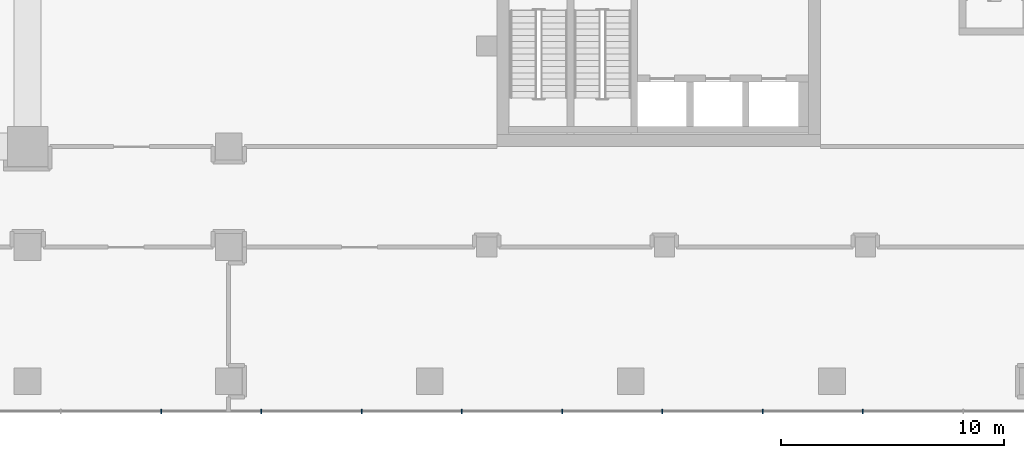
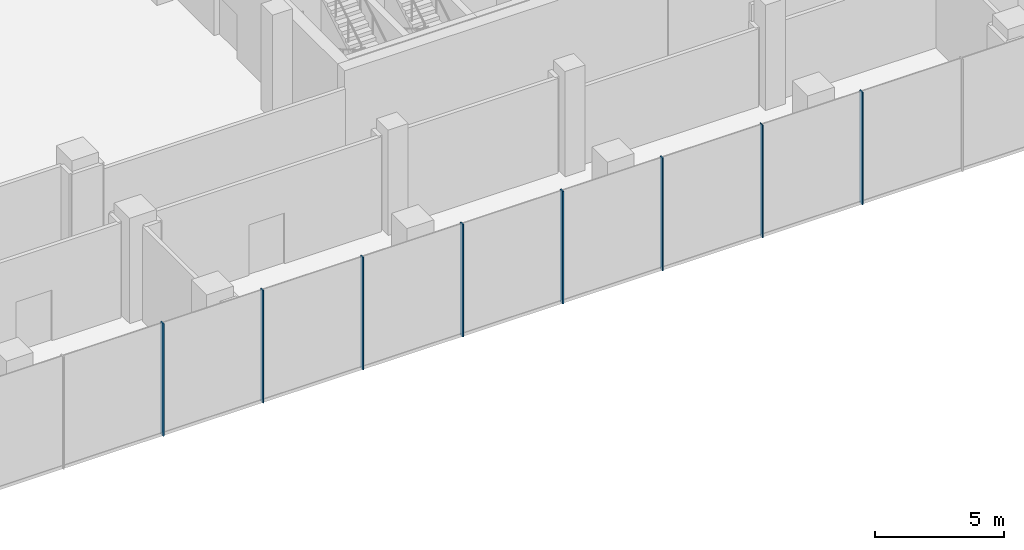
# One storey, part 12 of 36: 8 members, 1 element without a shape of its own.
"""IFC4 building model written with IfcOpenShell, lengths in metres."""

from ifc_helpers import new_model, si_unit, direction, frame, origin, origin_2d, place, context, subcontext, project, spatial, rectangle, extrude, material, layer, layer_set, material_profile, profile_set, type_object, element, aggregate, save


model = new_model("IFC4")

# Units and contexts
model_context = context("Model", 3, precision=1e-05, world=origin(), true_north=direction((0.0, 1.0)))
body_context = subcontext(model_context, "Body", "Model", "MODEL_VIEW")
ifc_project = project(units=[si_unit("LENGTHUNIT", "METRE"), si_unit("AREAUNIT", "SQUARE_METRE"), si_unit("VOLUMEUNIT", "CUBIC_METRE"), si_unit("PLANEANGLEUNIT", "RADIAN"), si_unit("MASSUNIT", "GRAM", prefix="KILO")], contexts=[model_context])

# Site, building, storey
site_placement = place(None, origin())
site = spatial("IfcSite", under=ifc_project, at=site_placement, CompositionType="ELEMENT")
building_placement = place(site_placement, origin())
building = spatial("IfcBuilding", under=site, at=building_placement, Name="Plateau Cross Towers", CompositionType="ELEMENT")
storey_placement = place(building_placement, frame((0.0, 0.0, 21.800048828125)))
storey = spatial("IfcBuildingStorey", under=building, at=storey_placement, Name="L04", CompositionType="ELEMENT", Elevation=21.800048828125)

# Curtain wall, members
ifc_material_1 = material(Name="Dark low-iron laminated glass", Category="glass")
ifc_layer = layer(ifc_material_1, 0.300048828125)
ifc_layer_set = layer_set([ifc_layer], Name="Dark low-iron laminated glass")
curtain_wall_type = type_object("IfcCurtainWallType", Name="Curtain wall structural silicone CW-C", PredefinedType="NOTDEFINED", material=ifc_layer_set)
curtain_wall_placement = place(storey_placement, origin())
curtain_wall = element("IfcCurtainWall", 1, at=curtain_wall_placement, inside=storey, type_object=curtain_wall_type, Name="ENV/P/L04/P-28_-118", PredefinedType="NOTDEFINED")
ifc_material_2 = material(Name="Black anodised aluminium", Category="aluminium")
ifc_material_profile = material_profile(ifc_material_2, rectangle(XDim=0.050048828125, YDim=0.199951171875, at=origin_2d()), Name="MULLION 50x200")
ifc_profile_set = profile_set([ifc_material_profile], Name="Black anodised aluminium")
member_type = type_object("IfcMemberType", Name="Mullion 50x200 structural silicone", PredefinedType="MULLION", material=ifc_profile_set)
member_1_placement = place(storey_placement, frame((59.97509765625, -11.85009765625, -0.35009765625), z_axis=(0.0, 0.0, 1.0), x_axis=(1.0, 0.0, 0.0)))
member_1 = element("IfcMember", 2, at=member_1_placement, type_object=member_type, Name="CW-C mullion 15", PredefinedType="MULLION", context=body_context, shape_type="SweptSolid", body=[
    extrude(rectangle(XDim=0.050048828125, YDim=0.199951171875, at=origin_2d()), origin(), (0.0, 0.0, 1.0), 5.35009765625),
])
member_2_placement = place(storey_placement, frame((64.46240234375, -11.85009765625, -0.35009765625), z_axis=(0.0, 0.0, 1.0), x_axis=(1.0, 0.0, 0.0)))
member_2 = element("IfcMember", 3, at=member_2_placement, type_object=member_type, Name="CW-C mullion 16", PredefinedType="MULLION", context=body_context, shape_type="SweptSolid", body=[
    extrude(rectangle(XDim=0.050048828125, YDim=0.199951171875, at=origin_2d()), origin(), (0.0, 0.0, 1.0), 5.35009765625),
])
member_3_placement = place(storey_placement, frame((68.949951171875, -11.85009765625, -0.35009765625), z_axis=(0.0, 0.0, 1.0), x_axis=(1.0, 0.0, 0.0)))
member_3 = element("IfcMember", 4, at=member_3_placement, type_object=member_type, Name="CW-C mullion 17", PredefinedType="MULLION", context=body_context, shape_type="SweptSolid", body=[
    extrude(rectangle(XDim=0.050048828125, YDim=0.199951171875, at=origin_2d()), origin(), (0.0, 0.0, 1.0), 5.35009765625),
])
member_4_placement = place(storey_placement, frame((73.4375, -11.85009765625, -0.35009765625), z_axis=(0.0, 0.0, 1.0), x_axis=(1.0, 0.0, 0.0)))
member_4 = element("IfcMember", 5, at=member_4_placement, type_object=member_type, Name="CW-C mullion 18", PredefinedType="MULLION", context=body_context, shape_type="SweptSolid", body=[
    extrude(rectangle(XDim=0.050048828125, YDim=0.199951171875, at=origin_2d()), origin(), (0.0, 0.0, 1.0), 5.35009765625),
])
member_5_placement = place(storey_placement, frame((77.925048828125, -11.85009765625, -0.35009765625), z_axis=(0.0, 0.0, 1.0), x_axis=(1.0, 0.0, 0.0)))
member_5 = element("IfcMember", 6, at=member_5_placement, type_object=member_type, Name="CW-C mullion 19", PredefinedType="MULLION", context=body_context, shape_type="SweptSolid", body=[
    extrude(rectangle(XDim=0.050048828125, YDim=0.199951171875, at=origin_2d()), origin(), (0.0, 0.0, 1.0), 5.35009765625),
])
member_6_placement = place(storey_placement, frame((82.41259765625, -11.85009765625, -0.35009765625), z_axis=(0.0, 0.0, 1.0), x_axis=(1.0, 0.0, 0.0)))
member_6 = element("IfcMember", 7, at=member_6_placement, type_object=member_type, Name="CW-C mullion 20", PredefinedType="MULLION", context=body_context, shape_type="SweptSolid", body=[
    extrude(rectangle(XDim=0.050048828125, YDim=0.199951171875, at=origin_2d()), origin(), (0.0, 0.0, 1.0), 5.35009765625),
])
member_7_placement = place(storey_placement, frame((86.89990234375, -11.85009765625, -0.35009765625), z_axis=(0.0, 0.0, 1.0), x_axis=(1.0, 0.0, 0.0)))
member_7 = element("IfcMember", 8, at=member_7_placement, type_object=member_type, Name="CW-C mullion 21", PredefinedType="MULLION", context=body_context, shape_type="SweptSolid", body=[
    extrude(rectangle(XDim=0.050048828125, YDim=0.199951171875, at=origin_2d()), origin(), (0.0, 0.0, 1.0), 5.35009765625),
])
member_8_placement = place(storey_placement, frame((91.387451171875, -11.85009765625, -0.35009765625), z_axis=(0.0, 0.0, 1.0), x_axis=(1.0, 0.0, 0.0)))
member_8 = element("IfcMember", 9, at=member_8_placement, type_object=member_type, Name="CW-C mullion 22", PredefinedType="MULLION", context=body_context, shape_type="SweptSolid", body=[
    extrude(rectangle(XDim=0.050048828125, YDim=0.199951171875, at=origin_2d()), origin(), (0.0, 0.0, 1.0), 5.35009765625),
])
aggregate(curtain_wall, [member_1, member_2, member_3, member_4, member_5, member_6, member_7, member_8])

save(model, "model.ifc")
